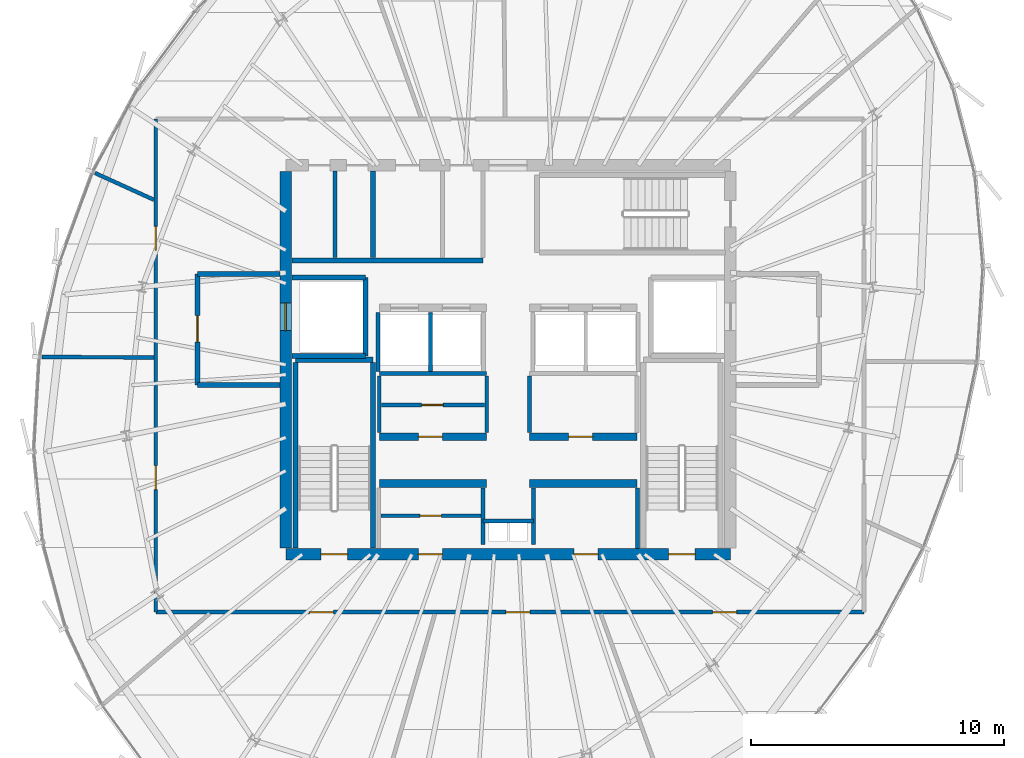
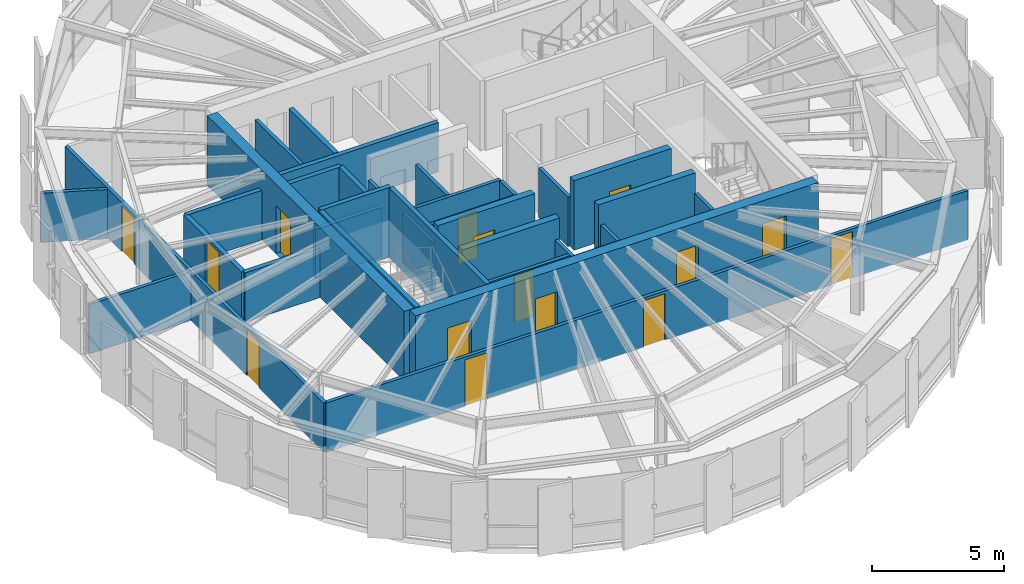
# One storey, part 24 of 30: 34 walls, 15 doors, 15 openings.
"""IFC4 building model written with IfcOpenShell, lengths in metres."""

from ifc_helpers import new_model, si_unit, direction, frame, frame_2d, origin, place, context, subcontext, project, spatial, rectangle, extrude, source, transform, mapped, material, layer, layer_set, type_object, element, fill, save


model = new_model("IFC4")

# Units and contexts
model_context = context("Model", 3, precision=1e-05, world=origin(), true_north=direction((0.0, 1.0)))
body_context = subcontext(model_context, "Body", "Model", "MODEL_VIEW")
ifc_project = project(units=[si_unit("LENGTHUNIT", "METRE"), si_unit("AREAUNIT", "SQUARE_METRE"), si_unit("VOLUMEUNIT", "CUBIC_METRE"), si_unit("PLANEANGLEUNIT", "RADIAN"), si_unit("MASSUNIT", "GRAM", prefix="KILO"), si_unit("THERMODYNAMICTEMPERATUREUNIT", "KELVIN")], contexts=[model_context])

# Site, building, storey
site_placement = place(None, origin())
site = spatial("IfcSite", under=ifc_project, at=site_placement, CompositionType="ELEMENT")
building_placement = place(site_placement, origin())
building = spatial("IfcBuilding", under=site, at=building_placement, Name="Kethvar Cultural Tower", CompositionType="ELEMENT")
storey_placement = place(building_placement, frame((0.0, 0.0, 297.39990234375)))
storey = spatial("IfcBuildingStorey", under=building, at=storey_placement, Name="L79", CompositionType="ELEMENT", Elevation=297.39990234375)

# Wall, openings, doors
ifc_material_1 = material(Name="Concrete C50/60", Category="concrete")
ifc_layer_1 = layer(ifc_material_1, 0.449951171875, Name="Concrete C50/60", Category="concrete")
ifc_layer_set_1 = layer_set([ifc_layer_1], Name="Concrete C50/60 (450 mm)")
wall_type_1 = type_object("IfcWallType", Name="WL-CORE-450", PredefinedType="SHEAR", material=ifc_layer_set_1)
wall_1_placement = place(storey_placement, frame((38.0, 20.10009765625, 0.0), z_axis=(0.0, 0.0, 1.0), x_axis=(1.0, 0.0, 0.0)))
wall_1 = element("IfcWall", 1, at=wall_1_placement, inside=storey, type_object=wall_type_1, Name="L79 Core Shear Wall S", PredefinedType="SHEAR", context=body_context, shape_type="SweptSolid", body=[
    extrude(rectangle(XDim=17.60009765625, YDim=0.449951171875, at=frame_2d((8.800048828125, 0.0))), origin(), (0.0, 0.0, 1.0), 3.210205078125),
])
opening_1_placement = place(wall_1_placement, frame((1.39990234375, 0.0, 0.0)))
opening_1 = element("IfcOpeningElement", 2, at=opening_1_placement, cuts=wall_1, Name="Opening D-L79-S1", PredefinedType="OPENING", context=body_context, shape_type="SweptSolid", body=[
    extrude(rectangle(XDim=1.050048828125, YDim=2.14990234375, at=frame_2d((0.52490234375, 1.074951171875))), frame((0.0, 0.23486328125, 0.0), z_axis=(0.0, -1.0, 0.0), x_axis=(1.0, 0.0, 0.0)), (0.0, 0.0, 1.0), 0.469970703125),
])
opening_2_placement = place(wall_1_placement, frame((15.14990234375, 0.0, 0.0)))
opening_2 = element("IfcOpeningElement", 3, at=opening_2_placement, cuts=wall_1, Name="Opening D-L79-ST2", PredefinedType="OPENING", context=body_context, shape_type="SweptSolid", body=[
    extrude(rectangle(XDim=1.050048828125, YDim=2.14990234375, at=frame_2d((0.52490234375, 1.074951171875))), frame((0.0, 0.23486328125, 0.0), z_axis=(0.0, -1.0, 0.0), x_axis=(1.0, 0.0, 0.0)), (0.0, 0.0, 1.0), 0.469970703125),
])
opening_3_placement = place(wall_1_placement, frame((5.25, 0.0, 0.0)))
opening_3 = element("IfcOpeningElement", 4, at=opening_3_placement, cuts=wall_1, Name="Opening D-L79-V1", PredefinedType="OPENING", context=body_context, shape_type="SweptSolid", body=[
    extrude(rectangle(XDim=0.949951171875, YDim=2.14990234375, at=frame_2d((0.47509765625, 1.074951171875))), frame((0.0, 0.23486328125, 0.0), z_axis=(0.0, -1.0, 0.0), x_axis=(1.0, 0.0, 0.0)), (0.0, 0.0, 1.0), 0.469970703125),
])
opening_4_placement = place(wall_1_placement, frame((11.39990234375, 0.0, 0.0)))
opening_4 = element("IfcOpeningElement", 5, at=opening_4_placement, cuts=wall_1, Name="Opening D-L79-V2", PredefinedType="OPENING", context=body_context, shape_type="SweptSolid", body=[
    extrude(rectangle(XDim=0.949951171875, YDim=2.14990234375, at=frame_2d((0.47509765625, 1.074951171875))), frame((0.0, 0.23486328125, 0.0), z_axis=(0.0, -1.0, 0.0), x_axis=(1.0, 0.0, 0.0)), (0.0, 0.0, 1.0), 0.469970703125),
])
ifc_material_2 = material(Name="Steel S355J2", Category="steel")
door_type_1 = type_object("IfcDoorType", Name="DR-FD60-1050", OperationType="NOTDEFINED", PredefinedType="DOOR", material=ifc_material_2)
shared_shape_1 = source(origin(), body_context, "Body", "SweptSolid", [
    extrude(rectangle(XDim=1.050048828125, YDim=2.14990234375, at=frame_2d((0.52490234375, 1.074951171875))), frame((0.0, 0.02490234375, 0.0), z_axis=(0.0, -1.0, 0.0), x_axis=(1.0, 0.0, 0.0)), (0.0, 0.0, 1.0), 0.050048828125),
])
door_1_placement = place(opening_1_placement, origin())
door_1 = element("IfcDoor", 6, at=door_1_placement, inside=storey, type_object=door_type_1, Name="L79 Exit Stair 1 Door", OperationType="SINGLE_SWING_LEFT", OverallHeight=2.14990234375, OverallWidth=1.050048828125, PredefinedType="DOOR", context=body_context, shape_type="MappedRepresentation", body=[
    mapped(shared_shape_1, transform((0.0, 0.0, 0.0), scale=1.0)),
])
fill(opening_1, door_1)
door_2_placement = place(opening_2_placement, origin())
door_2 = element("IfcDoor", 7, at=door_2_placement, inside=storey, type_object=door_type_1, Name="L79 Exit Stair 2 Door", OperationType="SINGLE_SWING_RIGHT", OverallHeight=2.14990234375, OverallWidth=1.050048828125, PredefinedType="DOOR", context=body_context, shape_type="MappedRepresentation", body=[
    mapped(shared_shape_1, transform((0.0, 0.0, 0.0), scale=1.0)),
])
fill(opening_2, door_2)
ifc_material_3 = material(Name="Architectural Oak Timber", Category="wood")
door_type_2 = type_object("IfcDoorType", Name="DR-FD30-950", OperationType="NOTDEFINED", PredefinedType="DOOR", material=ifc_material_3)
shared_shape_2 = source(origin(), body_context, "Body", "SweptSolid", [
    extrude(rectangle(XDim=0.949951171875, YDim=2.14990234375, at=frame_2d((0.47509765625, 1.074951171875))), frame((0.0, 0.02490234375, 0.0), z_axis=(0.0, -1.0, 0.0), x_axis=(1.0, 0.0, 0.0)), (0.0, 0.0, 1.0), 0.050048828125),
])
door_3_placement = place(opening_3_placement, origin())
door_3 = element("IfcDoor", 8, at=door_3_placement, inside=storey, type_object=door_type_2, Name="L79 Reclaimed West South Door", OperationType="SINGLE_SWING_LEFT", OverallHeight=2.14990234375, OverallWidth=0.949951171875, PredefinedType="DOOR", context=body_context, shape_type="MappedRepresentation", body=[
    mapped(shared_shape_2, transform((0.0, 0.0, 0.0), scale=1.0)),
])
fill(opening_3, door_3)
door_4_placement = place(opening_4_placement, origin())
door_4 = element("IfcDoor", 9, at=door_4_placement, inside=storey, type_object=door_type_2, Name="L79 Reclaimed East Server Door", OperationType="SINGLE_SWING_RIGHT", OverallHeight=2.14990234375, OverallWidth=0.949951171875, PredefinedType="DOOR", context=body_context, shape_type="MappedRepresentation", body=[
    mapped(shared_shape_2, transform((0.0, 0.0, 0.0), scale=1.0)),
])
fill(opening_4, door_4)

# Wall, opening, door
wall_2_placement = place(storey_placement, frame((38.0, 35.260009765625, 0.0), z_axis=(0.0, 0.0, 1.0), x_axis=(0.0, -1.0, 0.0)))
wall_2 = element("IfcWall", 10, at=wall_2_placement, inside=storey, type_object=wall_type_1, Name="L79 Core Shear Wall W", PredefinedType="SHEAR", context=body_context, shape_type="SweptSolid", body=[
    extrude(rectangle(XDim=14.919921875, YDim=0.449951171875, at=frame_2d((7.4599609375, 0.0))), origin(), (0.0, 0.0, 1.0), 3.210205078125),
])
opening_5_placement = place(wall_2_placement, frame((5.2099609375, 0.0, 0.0)))
opening_5 = element("IfcOpeningElement", 11, at=opening_5_placement, cuts=wall_2, Name="Opening LD-1", PredefinedType="OPENING", context=body_context, shape_type="SweptSolid", body=[
    extrude(rectangle(XDim=1.10009765625, YDim=2.199951171875, at=frame_2d((0.550048828125, 1.10009765625))), frame((0.0, 0.23486328125, 0.0), z_axis=(0.0, -1.0, 0.0), x_axis=(1.0, 0.0, 0.0)), (0.0, 0.0, 1.0), 0.469970703125),
])
door_type_3 = type_object("IfcDoorType", Name="DR-LIFT-SLIDE-1100", OperationType="NOTDEFINED", PredefinedType="DOOR", material=ifc_material_2)
shared_shape_3 = source(origin(), body_context, "Body", "SweptSolid", [
    extrude(rectangle(XDim=1.10009765625, YDim=2.199951171875, at=frame_2d((0.550048828125, 1.10009765625))), frame((0.0, 0.02490234375, 0.0), z_axis=(0.0, -1.0, 0.0), x_axis=(1.0, 0.0, 0.0)), (0.0, 0.0, 1.0), 0.050048828125),
])
door_5_placement = place(opening_5_placement, origin())
door_5 = element("IfcDoor", 12, at=door_5_placement, inside=storey, type_object=door_type_3, Name="L79 Firefighting Lift Landing Door FFL-01", OperationType="SLIDING_TO_LEFT", OverallHeight=2.199951171875, OverallWidth=1.10009765625, PredefinedType="DOOR", context=body_context, shape_type="MappedRepresentation", body=[
    mapped(shared_shape_3, transform((0.0, 0.0, 0.0), scale=1.0)),
])
fill(opening_5, door_5)

# Walls
ifc_material_4 = material(Name="Gypsum Fireboard Partition")
ifc_layer_2 = layer(ifc_material_4, 0.14990234375, Name="Gypsum Fireboard Partition")
ifc_layer_set_2 = layer_set([ifc_layer_2], Name="Gypsum Fireboard Partition (150 mm)")
wall_type_2 = type_object("IfcWallType", Name="WL-FIRE-150", PredefinedType="PARTITIONING", material=ifc_layer_set_2)
wall_3_placement = place(storey_placement, frame((45.800048828125, 21.419921875, 0.0), z_axis=(0.0, 0.0, 1.0), x_axis=(1.0, 0.0, 0.0)))
element("IfcWall", 13, at=wall_3_placement, inside=storey, type_object=wall_type_2, Name="L79 Core Riser Wall", PredefinedType="PARTITIONING", context=body_context, shape_type="SweptSolid", body=[
    extrude(rectangle(XDim=2.0, YDim=0.14990234375, at=frame_2d((1.0, 0.0))), origin(), (0.0, 0.0, 1.0), 2.280029296875),
])
for number, where, z_axis, x_axis, name in (
    (14, (45.800048828125, 20.47998046875, 0.0), (0.0, 0.0, 1.0), (0.0, 1.0, 0.0), "L79 Core Riser West Wall"),
    (15, (47.800048828125, 20.47998046875, 0.0), (0.0, 0.0, 1.0), (0.0, 1.0, 0.0), "L79 Core Riser East Wall"),
):
    element("IfcWall", number, at=place(storey_placement, frame(where, z_axis=z_axis, x_axis=x_axis)), inside=storey, type_object=wall_type_2, Name=name, PredefinedType="PARTITIONING", context=body_context, shape_type="SweptSolid", body=[
        extrude(rectangle(XDim=2.239990234375, YDim=0.14990234375, at=frame_2d((1.1201171875, 0.0))), origin(), (0.0, 0.0, 1.0), 2.280029296875),
    ])
wall_4_placement = place(storey_placement, frame((51.919921875, 20.3349609375, 0.0), z_axis=(0.0, 0.0, 1.0), x_axis=(0.0, 1.0, 0.0)))
element("IfcWall", 16, at=wall_4_placement, inside=storey, type_object=wall_type_2, Name="L79 Reclaimed East Outer Wall", PredefinedType="PARTITIONING", context=body_context, shape_type="SweptSolid", body=[
    extrude(rectangle(XDim=2.39501953125, YDim=0.14990234375, at=frame_2d((1.197509765625, 0.0))), origin(), (0.0, 0.0, 1.0), 2.280029296875),
])

# Wall, opening, door
wall_5_placement = place(storey_placement, frame((41.760009765625, 21.6201171875, 0.0), z_axis=(0.0, 0.0, 1.0), x_axis=(1.0, 0.0, 0.0)))
wall_5 = element("IfcWall", 17, at=wall_5_placement, inside=storey, type_object=wall_type_2, Name="L79 Vault Gallery Wall W", PredefinedType="PARTITIONING", context=body_context, shape_type="SweptSolid", body=[
    extrude(rectangle(XDim=3.9599609375, YDim=0.14990234375, at=frame_2d((1.97998046875, 0.0))), origin(), (0.0, 0.0, 1.0), 2.280029296875),
])
opening_6_placement = place(wall_5_placement, frame((1.550048828125, 0.0, 0.0)))
opening_6 = element("IfcOpeningElement", 18, at=opening_6_placement, cuts=wall_5, Name="Opening D-L79-V3", PredefinedType="OPENING", context=body_context, shape_type="SweptSolid", body=[
    extrude(rectangle(XDim=0.85009765625, YDim=2.14990234375, at=frame_2d((0.425048828125, 1.074951171875))), frame((0.0, 0.0849609375, 0.0), z_axis=(0.0, -1.0, 0.0), x_axis=(1.0, 0.0, 0.0)), (0.0, 0.0, 1.0), 0.169921875),
])
door_type_4 = type_object("IfcDoorType", Name="DR-FD30-850", OperationType="NOTDEFINED", PredefinedType="DOOR", material=ifc_material_2)
shared_shape_4 = source(origin(), body_context, "Body", "SweptSolid", [
    extrude(rectangle(XDim=0.85009765625, YDim=2.14990234375, at=frame_2d((0.425048828125, 1.074951171875))), frame((0.0, 0.02490234375, 0.0), z_axis=(0.0, -1.0, 0.0), x_axis=(1.0, 0.0, 0.0)), (0.0, 0.0, 1.0), 0.050048828125),
])
door_6_placement = place(opening_6_placement, origin())
door_6 = element("IfcDoor", 19, at=door_6_placement, inside=storey, type_object=door_type_4, Name="L79 Inner Vault Gallery Door", OperationType="SINGLE_SWING_LEFT", OverallHeight=2.14990234375, OverallWidth=0.85009765625, PredefinedType="DOOR", context=body_context, shape_type="MappedRepresentation", body=[
    mapped(shared_shape_4, transform((0.0, 0.0, 0.0), scale=1.0)),
])
fill(opening_6, door_6)

# Walls
wall_6_placement = place(storey_placement, frame((41.699951171875, 27.25, 0.0), z_axis=(0.0, 0.0, 1.0), x_axis=(1.0, 0.0, 0.0)))
element("IfcWall", 20, at=wall_6_placement, inside=storey, type_object=wall_type_2, Name="L79 Reclaimed Mid Wall W", PredefinedType="PARTITIONING", context=body_context, shape_type="SweptSolid", body=[
    extrude(rectangle(XDim=4.25, YDim=0.14990234375, at=frame_2d((2.125, 0.0))), origin(), (0.0, 0.0, 1.0), 2.280029296875),
])
for number, where, z_axis, x_axis, name in (
    (21, (41.699951171875, 24.919921875, 0.0), (0.0, 0.0, 1.0), (0.0, 1.0, 0.0), "L79 Reclaimed Mid Outer W"),
    (22, (45.949951171875, 24.919921875, 0.0), (0.0, 0.0, 1.0), (0.0, 1.0, 0.0), "L79 Reclaimed Mid Spine W"),
    (23, (47.64990234375, 24.919921875, 0.0), (0.0, 0.0, 1.0), (0.0, 1.0, 0.0), "L79 Reclaimed Mid Spine E"),
):
    element("IfcWall", number, at=place(storey_placement, frame(where, z_axis=z_axis, x_axis=x_axis)), inside=storey, type_object=wall_type_2, Name=name, PredefinedType="PARTITIONING", context=body_context, shape_type="SweptSolid", body=[
        extrude(rectangle(XDim=2.239990234375, YDim=0.14990234375, at=frame_2d((1.1201171875, 0.0))), origin(), (0.0, 0.0, 1.0), 2.280029296875),
    ])

# Wall, opening, door
wall_7_placement = place(storey_placement, frame((41.780029296875, 26.010009765625, 0.0), z_axis=(0.0, 0.0, 1.0), x_axis=(1.0, 0.0, 0.0)))
wall_7 = element("IfcWall", 24, at=wall_7_placement, inside=storey, type_object=wall_type_2, Name="L79 Mid Gallery Wall W", PredefinedType="PARTITIONING", context=body_context, shape_type="SweptSolid", body=[
    extrude(rectangle(XDim=4.090087890625, YDim=0.14990234375, at=frame_2d((2.044921875, 0.0))), origin(), (0.0, 0.0, 1.0), 2.280029296875),
])
opening_7_placement = place(wall_7_placement, frame((1.60009765625, 0.0, 0.0)))
opening_7 = element("IfcOpeningElement", 25, at=opening_7_placement, cuts=wall_7, Name="Opening D-L79-M3", PredefinedType="OPENING", context=body_context, shape_type="SweptSolid", body=[
    extrude(rectangle(XDim=0.85009765625, YDim=2.14990234375, at=frame_2d((0.425048828125, 1.074951171875))), frame((0.0, 0.0849609375, 0.0), z_axis=(0.0, -1.0, 0.0), x_axis=(1.0, 0.0, 0.0)), (0.0, 0.0, 1.0), 0.169921875),
])
door_7_placement = place(opening_7_placement, origin())
door_7 = element("IfcDoor", 26, at=door_7_placement, inside=storey, type_object=door_type_4, Name="L79 Fibre Inner Door", OperationType="SINGLE_SWING_LEFT", OverallHeight=2.14990234375, OverallWidth=0.85009765625, PredefinedType="DOOR", context=body_context, shape_type="MappedRepresentation", body=[
    mapped(shared_shape_4, transform((0.0, 0.0, 0.0), scale=1.0)),
])
fill(opening_7, door_7)

# Walls
for number, where, z_axis, x_axis, name in (
    (27, (41.64990234375, 27.340087890625, 0.0), (0.0, 0.0, 1.0), (0.0, 1.0, 0.0), "L79 High-Rise Lift Shaft Outer Wall W"),
    (28, (43.72509765625, 27.340087890625, 0.0), (0.0, 0.0, 1.0), (0.0, 1.0, 0.0), "L79 High-Rise Lift Shaft Divider W"),
):
    element("IfcWall", number, at=place(storey_placement, frame(where, z_axis=z_axis, x_axis=x_axis)), inside=storey, type_object=wall_type_2, Name=name, PredefinedType="PARTITIONING", context=body_context, shape_type="SweptSolid", body=[
        extrude(rectangle(XDim=2.33984375, YDim=0.14990234375, at=frame_2d((1.169921875, 0.0))), origin(), (0.0, 0.0, 1.0), 2.280029296875),
    ])
wall_8_placement = place(storey_placement, frame((39.949951171875, 31.85009765625, 0.0), z_axis=(0.0, 0.0, 1.0), x_axis=(0.0, 1.0, 0.0)))
element("IfcWall", 29, at=wall_8_placement, inside=storey, type_object=wall_type_2, Name="L79 NW Riser Divider", PredefinedType="PARTITIONING", context=body_context, shape_type="SweptSolid", body=[
    extrude(rectangle(XDim=3.414794921875, YDim=0.14990234375, at=frame_2d((1.70751953125, 0.0))), origin(), (0.0, 0.0, 1.0), 2.280029296875),
])

# Wall, openings, doors
wall_9_placement = place(storey_placement, frame((32.85009765625, 17.806884765625, 0.0), z_axis=(0.0, 0.0, 1.0), x_axis=(1.0, 0.0, 0.0)))
wall_9 = element("IfcWall", 30, at=wall_9_placement, inside=storey, type_object=wall_type_2, Name="L79 Corridor Rated Wall S", PredefinedType="PARTITIONING", context=body_context, shape_type="SweptSolid", body=[
    extrude(rectangle(XDim=28.037841796875, YDim=0.14990234375, at=frame_2d((14.01904296875, 0.0))), origin(), (0.0, 0.0, 1.0), 2.280029296875),
])
opening_8_placement = place(wall_9_placement, frame((6.082275390625, 0.0, 0.0)))
opening_8 = element("IfcOpeningElement", 31, at=opening_8_placement, cuts=wall_9, Name="Opening D-L79-01", PredefinedType="OPENING", context=body_context, shape_type="SweptSolid", body=[
    extrude(rectangle(XDim=0.949951171875, YDim=2.14990234375, at=frame_2d((0.47509765625, 1.074951171875))), frame((0.0, 0.0849609375, 0.0), z_axis=(0.0, -1.0, 0.0), x_axis=(1.0, 0.0, 0.0)), (0.0, 0.0, 1.0), 0.169921875),
])
opening_9_placement = place(wall_9_placement, frame((13.8603515625, 0.0, 0.0)))
opening_9 = element("IfcOpeningElement", 32, at=opening_9_placement, cuts=wall_9, Name="Opening D-L79-02", PredefinedType="OPENING", context=body_context, shape_type="SweptSolid", body=[
    extrude(rectangle(XDim=0.949951171875, YDim=2.14990234375, at=frame_2d((0.47509765625, 1.074951171875))), frame((0.0, 0.0849609375, 0.0), z_axis=(0.0, -1.0, 0.0), x_axis=(1.0, 0.0, 0.0)), (0.0, 0.0, 1.0), 0.169921875),
])
opening_10_placement = place(wall_9_placement, frame((22.051025390625, 0.0, 0.0)))
opening_10 = element("IfcOpeningElement", 33, at=opening_10_placement, cuts=wall_9, Name="Opening D-L79-03", PredefinedType="OPENING", context=body_context, shape_type="SweptSolid", body=[
    extrude(rectangle(XDim=0.949951171875, YDim=2.14990234375, at=frame_2d((0.47509765625, 1.074951171875))), frame((0.0, 0.0849609375, 0.0), z_axis=(0.0, -1.0, 0.0), x_axis=(1.0, 0.0, 0.0)), (0.0, 0.0, 1.0), 0.169921875),
])
door_8_placement = place(opening_8_placement, origin())
door_8 = element("IfcDoor", 34, at=door_8_placement, inside=storey, type_object=door_type_2, Name="L79 Scholars' Den Lounge 01 Door", OperationType="SINGLE_SWING_RIGHT", OverallHeight=2.14990234375, OverallWidth=0.949951171875, PredefinedType="DOOR", context=body_context, shape_type="MappedRepresentation", body=[
    mapped(shared_shape_2, transform((0.0, 0.0, 0.0), scale=1.0)),
])
fill(opening_8, door_8)
door_9_placement = place(opening_9_placement, origin())
door_9 = element("IfcDoor", 35, at=door_9_placement, inside=storey, type_object=door_type_2, Name="L79 Graduate Study Lounge 02 Door", OperationType="SINGLE_SWING_LEFT", OverallHeight=2.14990234375, OverallWidth=0.949951171875, PredefinedType="DOOR", context=body_context, shape_type="MappedRepresentation", body=[
    mapped(shared_shape_2, transform((0.0, 0.0, 0.0), scale=1.0)),
])
fill(opening_9, door_9)
door_10_placement = place(opening_10_placement, origin())
door_10 = element("IfcDoor", 36, at=door_10_placement, inside=storey, type_object=door_type_2, Name="L79 Academic Study Lounge 03 Door", OperationType="SINGLE_SWING_RIGHT", OverallHeight=2.14990234375, OverallWidth=0.949951171875, PredefinedType="DOOR", context=body_context, shape_type="MappedRepresentation", body=[
    mapped(shared_shape_2, transform((0.0, 0.0, 0.0), scale=1.0)),
])
fill(opening_10, door_10)

wall_10_placement = place(storey_placement, frame((32.85009765625, 37.3310546875, 0.0), z_axis=(0.0, 0.0, 1.0), x_axis=(0.0, -1.0, 0.0)))
wall_10 = element("IfcWall", 37, at=wall_10_placement, inside=storey, type_object=wall_type_2, Name="L79 Corridor Rated Wall W", PredefinedType="PARTITIONING", context=body_context, shape_type="SweptSolid", body=[
    extrude(rectangle(XDim=19.524169921875, YDim=0.14990234375, at=frame_2d((9.76220703125, 0.0))), origin(), (0.0, 0.0, 1.0), 2.280029296875),
])
opening_11_placement = place(wall_10_placement, frame((4.249267578125, 0.0, 0.0)))
opening_11 = element("IfcOpeningElement", 38, at=opening_11_placement, cuts=wall_10, Name="Opening D-L79-10", PredefinedType="OPENING", context=body_context, shape_type="SweptSolid", body=[
    extrude(rectangle(XDim=0.949951171875, YDim=2.14990234375, at=frame_2d((0.47509765625, 1.074951171875))), frame((0.0, 0.0849609375, 0.0), z_axis=(0.0, -1.0, 0.0), x_axis=(1.0, 0.0, 0.0)), (0.0, 0.0, 1.0), 0.169921875),
])
opening_12_placement = place(wall_10_placement, frame((13.71875, 0.0, 0.0)))
opening_12 = element("IfcOpeningElement", 39, at=opening_12_placement, cuts=wall_10, Name="Opening D-L79-11", PredefinedType="OPENING", context=body_context, shape_type="SweptSolid", body=[
    extrude(rectangle(XDim=0.949951171875, YDim=2.14990234375, at=frame_2d((0.47509765625, 1.074951171875))), frame((0.0, 0.0849609375, 0.0), z_axis=(0.0, -1.0, 0.0), x_axis=(1.0, 0.0, 0.0)), (0.0, 0.0, 1.0), 0.169921875),
])
door_11_placement = place(opening_11_placement, origin())
door_11 = element("IfcDoor", 40, at=door_11_placement, inside=storey, type_object=door_type_2, Name="L79 Institute Tea Pantry 10 Door", OperationType="SINGLE_SWING_LEFT", OverallHeight=2.14990234375, OverallWidth=0.949951171875, PredefinedType="DOOR", context=body_context, shape_type="MappedRepresentation", body=[
    mapped(shared_shape_2, transform((0.0, 0.0, 0.0), scale=1.0)),
])
fill(opening_11, door_11)
door_12_placement = place(opening_12_placement, origin())
door_12 = element("IfcDoor", 41, at=door_12_placement, inside=storey, type_object=door_type_2, Name="L79 Laboratory Tea Pantry 11 Door", OperationType="SINGLE_SWING_RIGHT", OverallHeight=2.14990234375, OverallWidth=0.949951171875, PredefinedType="DOOR", context=body_context, shape_type="MappedRepresentation", body=[
    mapped(shared_shape_2, transform((0.0, 0.0, 0.0), scale=1.0)),
])
fill(opening_12, door_12)

# Walls
ifc_material_5 = material(Name="Concrete C40/50", Category="concrete")
ifc_layer_3 = layer(ifc_material_5, 0.199951171875, Name="Concrete C40/50", Category="concrete")
ifc_layer_set_3 = layer_set([ifc_layer_3], Name="Concrete C40/50 (200 mm)")
wall_type_3 = type_object("IfcWallType", Name="WL-FIRE-200", PredefinedType="PARTITIONING", material=ifc_layer_set_3)
wall_11_placement = place(storey_placement, frame((41.14990234375, 27.949951171875, 0.0), z_axis=(0.0, 0.0, 1.0), x_axis=(0.0, 1.0, 0.0)))
element("IfcWall", 42, at=wall_11_placement, inside=storey, type_object=wall_type_3, Name="L79 FFL-01 Shaft Inner Wall", PredefinedType="PARTITIONING", context=body_context, shape_type="SweptSolid", body=[
    extrude(rectangle(XDim=3.10009765625, YDim=0.199951171875, at=frame_2d((1.550048828125, 0.0))), origin(), (0.0, 0.0, 1.0), 2.280029296875),
])
for number, where, z_axis, x_axis, name in (
    (43, (38.235107421875, 27.949951171875, 0.0), (0.0, 0.0, 1.0), (1.0, 0.0, 0.0), "L79 FFL-01 Shaft South Wall"),
    (44, (38.235107421875, 31.050048828125, 0.0), (0.0, 0.0, 1.0), (1.0, 0.0, 0.0), "L79 FFL-01 Shaft North Wall"),
):
    element("IfcWall", number, at=place(storey_placement, frame(where, z_axis=z_axis, x_axis=x_axis)), inside=storey, type_object=wall_type_3, Name=name, PredefinedType="PARTITIONING", context=body_context, shape_type="SweptSolid", body=[
        extrude(rectangle(XDim=2.914794921875, YDim=0.199951171875, at=frame_2d((1.45751953125, 0.0))), origin(), (0.0, 0.0, 1.0), 2.280029296875),
    ])

# Wall, opening, door
wall_12_placement = place(storey_placement, frame((34.5, 31.199951171875, 0.0), z_axis=(0.0, 0.0, 1.0), x_axis=(0.0, -1.0, 0.0)))
wall_12 = element("IfcWall", 45, at=wall_12_placement, inside=storey, type_object=wall_type_3, Name="L79 Firefighting Lobby 1 Wall", PredefinedType="PARTITIONING", context=body_context, shape_type="SweptSolid", body=[
    extrude(rectangle(XDim=4.39990234375, YDim=0.199951171875, at=frame_2d((2.199951171875, 0.0))), origin(), (0.0, 0.0, 1.0), 2.280029296875),
])
opening_13_placement = place(wall_12_placement, frame((1.64990234375, 0.0, 0.0)))
opening_13 = element("IfcOpeningElement", 46, at=opening_13_placement, cuts=wall_12, Name="Opening D-L79-F1", PredefinedType="OPENING", context=body_context, shape_type="SweptSolid", body=[
    extrude(rectangle(XDim=1.050048828125, YDim=2.14990234375, at=frame_2d((0.52490234375, 1.074951171875))), frame((0.0, 0.10986328125, 0.0), z_axis=(0.0, -1.0, 0.0), x_axis=(1.0, 0.0, 0.0)), (0.0, 0.0, 1.0), 0.219970703125),
])
door_13_placement = place(opening_13_placement, origin())
door_13 = element("IfcDoor", 47, at=door_13_placement, inside=storey, type_object=door_type_1, Name="L79 Firefighting Lobby 1 Fire Door", OperationType="SINGLE_SWING_LEFT", OverallHeight=2.14990234375, OverallWidth=1.050048828125, PredefinedType="DOOR", context=body_context, shape_type="MappedRepresentation", body=[
    mapped(shared_shape_1, transform((0.0, 0.0, 0.0), scale=1.0)),
])
fill(opening_13, door_13)

# Walls
for number, where, z_axis, x_axis, name in (
    (48, (34.5, 26.800048828125, 0.0), (0.0, 0.0, 1.0), (1.0, 0.0, 0.0), "L79 FF Lobby 1 South Wall"),
    (49, (34.5, 31.199951171875, 0.0), (0.0, 0.0, 1.0), (1.0, 0.0, 0.0), "L79 FF Lobby 1 North Wall"),
):
    element("IfcWall", number, at=place(storey_placement, frame(where, z_axis=z_axis, x_axis=x_axis)), inside=storey, type_object=wall_type_3, Name=name, PredefinedType="PARTITIONING", context=body_context, shape_type="SweptSolid", body=[
        extrude(rectangle(XDim=3.264892578125, YDim=0.199951171875, at=frame_2d((1.63232421875, 0.0))), origin(), (0.0, 0.0, 1.0), 2.280029296875),
    ])
wall_13_placement = place(storey_placement, frame((41.449951171875, 31.85009765625, 0.0), z_axis=(0.0, 0.0, 1.0), x_axis=(0.0, 1.0, 0.0)))
element("IfcWall", 50, at=wall_13_placement, inside=storey, type_object=wall_type_3, Name="L79 NW Core Pocket Wall", PredefinedType="PARTITIONING", context=body_context, shape_type="SweptSolid", body=[
    extrude(rectangle(XDim=3.414794921875, YDim=0.199951171875, at=frame_2d((1.70751953125, 0.0))), origin(), (0.0, 0.0, 1.0), 2.280029296875),
])
wall_14_placement = place(storey_placement, frame((38.235107421875, 31.72998046875, 0.0), z_axis=(0.0, 0.0, 1.0), x_axis=(1.0, 0.0, 0.0)))
element("IfcWall", 51, at=wall_14_placement, inside=storey, type_object=wall_type_3, Name="L79 North Core Sanitary South Wall", PredefinedType="PARTITIONING", context=body_context, shape_type="SweptSolid", body=[
    extrude(rectangle(XDim=7.56494140625, YDim=0.199951171875, at=frame_2d((3.782470703125, 0.0))), origin(), (0.0, 0.0, 1.0), 2.280029296875),
])
ifc_material_6 = material(Name="Gypsum Acoustic Partition")
ifc_layer_4 = layer(ifc_material_6, 0.14990234375, Name="Gypsum Acoustic Partition")
ifc_layer_set_4 = layer_set([ifc_layer_4], Name="Gypsum Acoustic Partition (150 mm)")
wall_type_4 = type_object("IfcWallType", Name="WL-PART-150", PredefinedType="PARTITIONING", material=ifc_layer_set_4)
wall_15_placement = place(storey_placement, frame((32.777099609375, 34.131591796875, 0.0), z_axis=(0.0, 0.0, 1.0), x_axis=(-0.910310968639, 0.413925041976, 0.0)))
element("IfcWall", 52, at=wall_15_placement, inside=storey, type_object=wall_type_4, Name="L79 Radial Partition Wall 10", PredefinedType="PARTITIONING", context=body_context, shape_type="SweptSolid", body=[
    extrude(rectangle(XDim=2.56103515625, YDim=0.14990234375, at=frame_2d((1.280517578125, 0.0))), origin(), (0.0, 0.0, 1.0), 2.280029296875),
])
wall_16_placement = place(storey_placement, frame((32.77001953125, 27.887939453125, 0.0), z_axis=(0.0, 0.0, 1.0), x_axis=(-0.999986848115, 0.005128703296, 0.0)))
element("IfcWall", 53, at=wall_16_placement, inside=storey, type_object=wall_type_4, Name="L79 Radial Partition Wall 11", PredefinedType="PARTITIONING", context=body_context, shape_type="SweptSolid", body=[
    extrude(rectangle(XDim=4.427001953125, YDim=0.14990234375, at=frame_2d((2.21337890625, 0.0))), origin(), (0.0, 0.0, 1.0), 2.280029296875),
])
ifc_layer_5 = layer(ifc_material_1, 0.300048828125, Name="Concrete C50/60", Category="concrete")
ifc_layer_set_5 = layer_set([ifc_layer_5], Name="Concrete C50/60 (300 mm)")
wall_type_5 = type_object("IfcWallType", Name="WL-SHAFT-300", PredefinedType="SHEAR", material=ifc_layer_set_5)
for number, where, z_axis, x_axis, name in (
    (54, (41.699951171875, 22.89990234375, 0.0), (0.0, 0.0, 1.0), (1.0, 0.0, 0.0), "L79 Core Lift Spine Wall MID1W"),
    (55, (47.64990234375, 22.89990234375, 0.0), (0.0, 0.0, 1.0), (1.0, 0.0, 0.0), "L79 Core Lift Spine Wall MID1E"),
):
    element("IfcWall", number, at=place(storey_placement, frame(where, z_axis=z_axis, x_axis=x_axis)), inside=storey, type_object=wall_type_5, Name=name, PredefinedType="SHEAR", context=body_context, shape_type="SweptSolid", body=[
        extrude(rectangle(XDim=4.25, YDim=0.300048828125, at=frame_2d((2.125, 0.0))), origin(), (0.0, 0.0, 1.0), 3.210205078125),
    ])

# Wall, opening, door
wall_17_placement = place(storey_placement, frame((41.699951171875, 24.75, 0.0), z_axis=(0.0, 0.0, 1.0), x_axis=(1.0, 0.0, 0.0)))
wall_17 = element("IfcWall", 56, at=wall_17_placement, inside=storey, type_object=wall_type_5, Name="L79 Core Lift Spine Wall MID2W", PredefinedType="SHEAR", context=body_context, shape_type="SweptSolid", body=[
    extrude(rectangle(XDim=4.25, YDim=0.300048828125, at=frame_2d((2.125, 0.0))), origin(), (0.0, 0.0, 1.0), 3.210205078125),
])
opening_14_placement = place(wall_17_placement, frame((1.550048828125, 0.0, 0.0)))
opening_14 = element("IfcOpeningElement", 57, at=opening_14_placement, cuts=wall_17, Name="Opening D-L79-M1", PredefinedType="OPENING", context=body_context, shape_type="SweptSolid", body=[
    extrude(rectangle(XDim=0.949951171875, YDim=2.14990234375, at=frame_2d((0.47509765625, 1.074951171875))), frame((0.0, 0.159912109375, 0.0), z_axis=(0.0, -1.0, 0.0), x_axis=(1.0, 0.0, 0.0)), (0.0, 0.0, 1.0), 0.320068359375),
])
door_14_placement = place(opening_14_placement, origin())
door_14 = element("IfcDoor", 58, at=door_14_placement, inside=storey, type_object=door_type_2, Name="L79 Fibre Patch Door", OperationType="SINGLE_SWING_LEFT", OverallHeight=2.14990234375, OverallWidth=0.949951171875, PredefinedType="DOOR", context=body_context, shape_type="MappedRepresentation", body=[
    mapped(shared_shape_2, transform((0.0, 0.0, 0.0), scale=1.0)),
])
fill(opening_14, door_14)

wall_18_placement = place(storey_placement, frame((47.64990234375, 24.75, 0.0), z_axis=(0.0, 0.0, 1.0), x_axis=(1.0, 0.0, 0.0)))
wall_18 = element("IfcWall", 59, at=wall_18_placement, inside=storey, type_object=wall_type_5, Name="L79 Core Lift Spine Wall MID2E", PredefinedType="SHEAR", context=body_context, shape_type="SweptSolid", body=[
    extrude(rectangle(XDim=4.25, YDim=0.300048828125, at=frame_2d((2.125, 0.0))), origin(), (0.0, 0.0, 1.0), 3.210205078125),
])
opening_15_placement = place(wall_18_placement, frame((1.550048828125, 0.0, 0.0)))
opening_15 = element("IfcOpeningElement", 60, at=opening_15_placement, cuts=wall_18, Name="Opening D-L79-M2", PredefinedType="OPENING", context=body_context, shape_type="SweptSolid", body=[
    extrude(rectangle(XDim=0.949951171875, YDim=2.14990234375, at=frame_2d((0.47509765625, 1.074951171875))), frame((0.0, 0.159912109375, 0.0), z_axis=(0.0, -1.0, 0.0), x_axis=(1.0, 0.0, 0.0)), (0.0, 0.0, 1.0), 0.320068359375),
])
door_15_placement = place(opening_15_placement, origin())
door_15 = element("IfcDoor", 61, at=door_15_placement, inside=storey, type_object=door_type_2, Name="L79 Sky Archive Annex Door", OperationType="SINGLE_SWING_RIGHT", OverallHeight=2.14990234375, OverallWidth=0.949951171875, PredefinedType="DOOR", context=body_context, shape_type="MappedRepresentation", body=[
    mapped(shared_shape_2, transform((0.0, 0.0, 0.0), scale=1.0)),
])
fill(opening_15, door_15)

# Walls
ifc_layer_6 = layer(ifc_material_1, 0.199951171875, Name="Concrete C50/60", Category="concrete")
ifc_layer_set_6 = layer_set([ifc_layer_6], Name="Concrete C50/60 (200 mm)")
wall_type_6 = type_object("IfcWallType", Name="WL-STSHAFT-200", PredefinedType="SHEAR", material=ifc_layer_set_6)
wall_19_placement = place(storey_placement, frame((38.389892578125, 27.800048828125, 0.0), z_axis=(0.0, 0.0, 1.0), x_axis=(1.0, 0.0, 0.0)))
element("IfcWall", 62, at=wall_19_placement, inside=storey, type_object=wall_type_6, Name="L79 ST-01 Stair Shaft Wall FAR", PredefinedType="SHEAR", context=body_context, shape_type="SweptSolid", body=[
    extrude(rectangle(XDim=3.06005859375, YDim=0.199951171875, at=frame_2d((1.530029296875, 0.0))), origin(), (0.0, 0.0, 1.0), 3.210205078125),
])
for number, where, z_axis, x_axis, name in (
    (63, (41.449951171875, 27.699951171875, 0.0), (0.0, 0.0, 1.0), (0.0, -1.0, 0.0), "L79 ST-01 Stair Shaft Wall LEFT"),
    (64, (38.389892578125, 20.35009765625, 0.0), (0.0, 0.0, 1.0), (0.0, 1.0, 0.0), "L79 ST-01 Stair Shaft Wall RIGHT"),
):
    element("IfcWall", number, at=place(storey_placement, frame(where, z_axis=z_axis, x_axis=x_axis)), inside=storey, type_object=wall_type_6, Name=name, PredefinedType="SHEAR", context=body_context, shape_type="SweptSolid", body=[
        extrude(rectangle(XDim=7.349853515625, YDim=0.199951171875, at=frame_2d((3.6748046875, 0.0))), origin(), (0.0, 0.0, 1.0), 3.210205078125),
    ])

save(model, "model.ifc")
